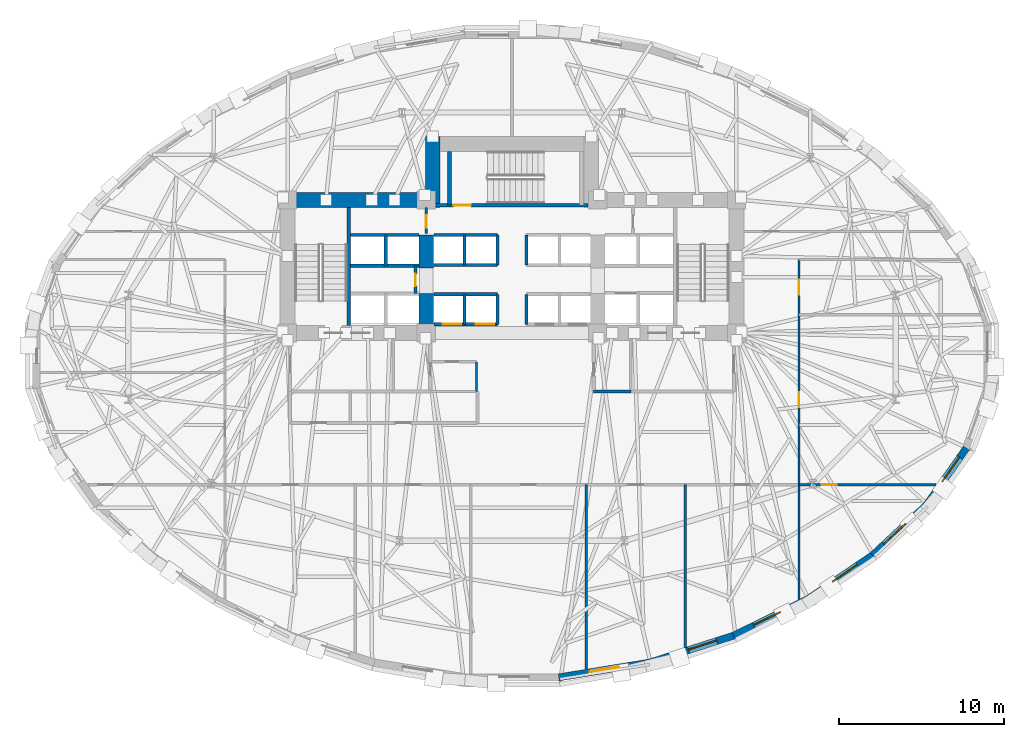
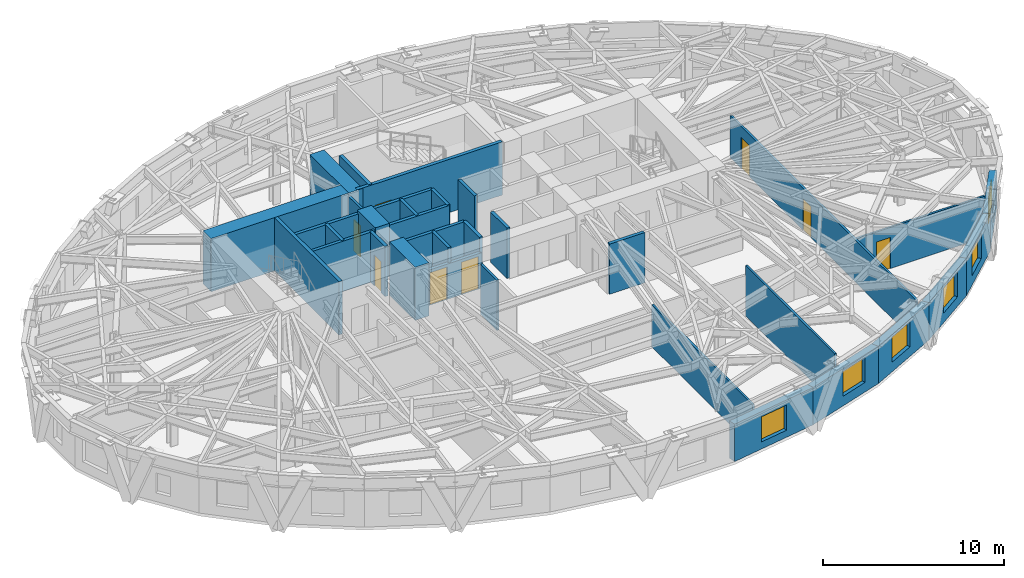
# One storey, part 8 of 14: 34 walls, 8 doors, 6 windows, 14 openings.
"""IFC4 building model written with IfcOpenShell, lengths in metres."""

from ifc_helpers import new_model, si_unit, direction, frame, frame_2d, origin, place, context, subcontext, project, spatial, rectangle, extrude, material, layer, layer_set, type_object, element, fill, save


model = new_model("IFC4")

# Units and contexts
model_context = context("Model", 3, precision=1e-05, world=origin(), true_north=direction((0.0, 1.0)))
body_context = subcontext(model_context, "Body", "Model", "MODEL_VIEW")
ifc_project = project(units=[si_unit("LENGTHUNIT", "METRE"), si_unit("AREAUNIT", "SQUARE_METRE"), si_unit("VOLUMEUNIT", "CUBIC_METRE"), si_unit("PLANEANGLEUNIT", "RADIAN"), si_unit("MASSUNIT", "GRAM", prefix="KILO")], contexts=[model_context])

# Site, building, storey
site_placement = place(None, origin())
site = spatial("IfcSite", under=ifc_project, at=site_placement, CompositionType="ELEMENT")
building_placement = place(site_placement, origin())
building = spatial("IfcBuilding", under=site, at=building_placement, Name="Keldmark Tower", CompositionType="ELEMENT")
storey_placement = place(building_placement, frame((0.0, 0.0, 59.39990234375)))
storey = spatial("IfcBuildingStorey", under=building, at=storey_placement, Name="L15", CompositionType="ELEMENT", Elevation=59.39990234375)

# Wall, openings, doors
ifc_material_1 = material(Name="Acoustic Double-Layer Gypsum Corridor Partition", Category="gypsum")
ifc_layer_1 = layer(ifc_material_1, 0.139892578125)
ifc_layer_set_1 = layer_set([ifc_layer_1], Name="Acoustic Double-Layer Gypsum Corridor Partition")
wall_type_1 = type_object("IfcWallType", Name="Acoustic Corridor Partition 140 mm", PredefinedType="PARTITIONING", material=ifc_layer_set_1)
wall_1_placement = place(storey_placement, frame((17.39990234375, -14.745361328125, 0.0), z_axis=(0.0, 0.0, 1.0), x_axis=(0.0, 1.0, 0.0)))
wall_1 = element("IfcWall", 1, at=wall_1_placement, inside=storey, type_object=wall_type_1, Name="L15 Acoustic Corridor Partition 140 mm COR-E", PredefinedType="PARTITIONING", context=body_context, shape_type="SweptSolid", body=[
    extrude(rectangle(XDim=20.595458984375, YDim=0.139892578125, at=frame_2d((10.2978515625, 0.0))), origin(), (0.0, 0.0, 1.0), 2.841064453125),
])
opening_1_placement = place(wall_1_placement, frame((11.64501953125, 0.0, 0.0)))
opening_1 = element("IfcOpeningElement", 2, at=opening_1_placement, cuts=wall_1, Name="Opening D-IN090", PredefinedType="OPENING", context=body_context, shape_type="SweptSolid", body=[
    extrude(rectangle(XDim=0.89990234375, YDim=2.10009765625, at=frame_2d((0.449951171875, 1.050048828125))), frame((0.0, 0.079833984375, 0.0), z_axis=(0.0, -1.0, 0.0), x_axis=(1.0, 0.0, 0.0)), (0.0, 0.0, 1.0), 0.159912109375),
])
opening_2_placement = place(wall_1_placement, frame((18.469970703125, 0.0, 0.0)))
opening_2 = element("IfcOpeningElement", 3, at=opening_2_placement, cuts=wall_1, Name="Opening D-IN090", PredefinedType="OPENING", context=body_context, shape_type="SweptSolid", body=[
    extrude(rectangle(XDim=0.89990234375, YDim=2.10009765625, at=frame_2d((0.449951171875, 1.050048828125))), frame((0.0, 0.079833984375, 0.0), z_axis=(0.0, -1.0, 0.0), x_axis=(1.0, 0.0, 0.0)), (0.0, 0.0, 1.0), 0.159912109375),
])
ifc_material_2 = material(Name="Stained American White Oak Veneer", Category="wood")
door_type_1 = type_object("IfcDoorType", Name="Interior Door 900x2100", OperationType="NOTDEFINED", PredefinedType="DOOR", material=ifc_material_2)
door_1_placement = place(opening_1_placement, origin())
door_1 = element("IfcDoor", 4, at=door_1_placement, inside=storey, type_object=door_type_1, Name="L15 Interior Door 900x2100 D-ER-1-L15", OperationType="SINGLE_SWING_RIGHT", OverallHeight=2.10009765625, OverallWidth=0.89990234375, PredefinedType="DOOR", context=body_context, shape_type="SweptSolid", body=[
    extrude(rectangle(XDim=0.89990234375, YDim=2.10009765625, at=frame_2d((0.449951171875, 1.050048828125))), frame((0.0, 0.02490234375, 0.0), z_axis=(0.0, -1.0, 0.0), x_axis=(1.0, 0.0, 0.0)), (0.0, 0.0, 1.0), 0.050048828125),
])
fill(opening_1, door_1)
door_2_placement = place(opening_2_placement, origin())
door_2 = element("IfcDoor", 5, at=door_2_placement, inside=storey, type_object=door_type_1, Name="L15 Interior Door 900x2100 D-ER-2-L15", OperationType="SINGLE_SWING_LEFT", OverallHeight=2.10009765625, OverallWidth=0.89990234375, PredefinedType="DOOR", context=body_context, shape_type="SweptSolid", body=[
    extrude(rectangle(XDim=0.89990234375, YDim=2.10009765625, at=frame_2d((0.449951171875, 1.050048828125))), frame((0.0, 0.02490234375, 0.0), z_axis=(0.0, -1.0, 0.0), x_axis=(1.0, 0.0, 0.0)), (0.0, 0.0, 1.0), 0.050048828125),
])
fill(opening_2, door_2)

# Walls
ifc_material_3 = material(Name="Acoustic Gypsum Board Interior Partition", Category="gypsum")
ifc_layer_2 = layer(ifc_material_3, 0.1298828125)
ifc_layer_set_2 = layer_set([ifc_layer_2], Name="Acoustic Gypsum Board Interior Partition")
wall_type_2 = type_object("IfcWallType", Name="Interior Partition 130 mm", PredefinedType="PARTITIONING", material=ifc_layer_set_2)
wall_2_placement = place(storey_placement, frame((-2.14990234375, -2.14990234375, 0.0), z_axis=(0.0, 0.0, 1.0), x_axis=(0.0, 1.0, 0.0)))
element("IfcWall", 6, at=wall_2_placement, inside=storey, type_object=wall_type_2, Name="L15 Interior Partition 130 mm CSC-W-E", PredefinedType="PARTITIONING", context=body_context, shape_type="SweptSolid", body=[
    extrude(rectangle(XDim=1.7998046875, YDim=0.1298828125, at=frame_2d((0.89990234375, 0.0))), origin(), (0.0, 0.0, 1.0), 3.400146484375),
])
wall_3_placement = place(storey_placement, frame((4.5, -18.97998046875, 0.0), z_axis=(0.0, 0.0, 1.0), x_axis=(0.0, 1.0, 0.0)))
element("IfcWall", 7, at=wall_3_placement, inside=storey, type_object=wall_type_2, Name="L15 Interior Partition 130 mm S-DIV-3", PredefinedType="PARTITIONING", context=body_context, shape_type="SweptSolid", body=[
    extrude(rectangle(XDim=11.179931640625, YDim=0.1298828125, at=frame_2d((5.58984375, 0.0))), origin(), (0.0, 0.0, 1.0), 2.85302734375),
])
wall_4_placement = place(storey_placement, frame((10.5, -17.656494140625, 0.0), z_axis=(0.0, 0.0, 1.0), x_axis=(0.0, 1.0, 0.0)))
element("IfcWall", 8, at=wall_4_placement, inside=storey, type_object=wall_type_2, Name="L15 Interior Partition 130 mm S-DIV-4", PredefinedType="PARTITIONING", context=body_context, shape_type="SweptSolid", body=[
    extrude(rectangle(XDim=9.8564453125, YDim=0.1298828125, at=frame_2d((4.92822265625, 0.0))), origin(), (0.0, 0.0, 1.0), 3.400146484375),
])

# Wall, opening, door
wall_5_placement = place(storey_placement, frame((17.39990234375, -7.800048828125, 0.0), z_axis=(0.0, 0.0, 1.0), x_axis=(1.0, 0.0, 0.0)))
wall_5 = element("IfcWall", 9, at=wall_5_placement, inside=storey, type_object=wall_type_2, Name="L15 Interior Partition 130 mm E-CAP-S", PredefinedType="PARTITIONING", context=body_context, shape_type="SweptSolid", body=[
    extrude(rectangle(XDim=8.314453125, YDim=0.1298828125, at=frame_2d((4.1572265625, 0.0))), origin(), (0.0, 0.0, 1.0), 2.779052734375),
])
opening_3_placement = place(wall_5_placement, frame((1.3701171875, 0.0, 0.0)))
opening_3 = element("IfcOpeningElement", 10, at=opening_3_placement, cuts=wall_5, Name="Opening D-IN090", PredefinedType="OPENING", context=body_context, shape_type="SweptSolid", body=[
    extrude(rectangle(XDim=0.89990234375, YDim=2.10009765625, at=frame_2d((0.449951171875, 1.050048828125))), frame((0.0, 0.074951171875, 0.0), z_axis=(0.0, -1.0, 0.0), x_axis=(1.0, 0.0, 0.0)), (0.0, 0.0, 1.0), 0.14990234375),
])
door_3_placement = place(opening_3_placement, origin())
door_3 = element("IfcDoor", 11, at=door_3_placement, inside=storey, type_object=door_type_1, Name="L15 Interior Door 900x2100 D-ERSE-L15", OperationType="SINGLE_SWING_RIGHT", OverallHeight=2.10009765625, OverallWidth=0.89990234375, PredefinedType="DOOR", context=body_context, shape_type="SweptSolid", body=[
    extrude(rectangle(XDim=0.89990234375, YDim=2.10009765625, at=frame_2d((0.449951171875, 1.050048828125))), frame((0.0, 0.02490234375, 0.0), z_axis=(0.0, -1.0, 0.0), x_axis=(1.0, 0.0, 0.0)), (0.0, 0.0, 1.0), 0.050048828125),
])
fill(opening_3, door_3)

# Walls
ifc_material_4 = material(Name="Concrete C70/85", Category="concrete")
ifc_layer_3 = layer(ifc_material_4, 0.89990234375)
ifc_layer_set_3 = layer_set([ifc_layer_3], Name="Concrete C70/85")
wall_type_3 = type_object("IfcWallType", Name="Lower Core Shear Wall 900 mm", PredefinedType="SHEAR", material=ifc_layer_set_3)
wall_6_placement = place(storey_placement, frame((-14.050048828125, 9.449951171875, 0.0), z_axis=(0.0, 0.0, 1.0), x_axis=(1.0, 0.0, 0.0)))
element("IfcWall", 12, at=wall_6_placement, inside=storey, type_object=wall_type_3, Name="L15 West Core North Shear Wall", PredefinedType="SHEAR", context=body_context, shape_type="SweptSolid", body=[
    extrude(rectangle(XDim=9.699951171875, YDim=0.89990234375, at=frame_2d((4.85009765625, 0.0))), origin(), (0.0, 0.0, 1.0), 3.60009765625),
])
wall_7_placement = place(storey_placement, frame((-5.199951171875, 0.949951171875, 0.0), z_axis=(0.0, 0.0, 1.0), x_axis=(0.0, 1.0, 0.0)))
element("IfcWall", 13, at=wall_7_placement, inside=storey, type_object=wall_type_3, Name="L15 West Core Inner Shear Pier South", PredefinedType="SHEAR", context=body_context, shape_type="SweptSolid", body=[
    extrude(rectangle(XDim=2.85009765625, YDim=0.89990234375, at=frame_2d((1.425048828125, 0.0))), origin(), (0.0, 0.0, 1.0), 3.60009765625),
])
wall_8_placement = place(storey_placement, frame((-5.199951171875, 5.35009765625, 0.0), z_axis=(0.0, 0.0, 1.0), x_axis=(0.0, 1.0, 0.0)))
element("IfcWall", 14, at=wall_8_placement, inside=storey, type_object=wall_type_3, Name="L15 West Core Inner Shear Pier North", PredefinedType="SHEAR", context=body_context, shape_type="SweptSolid", body=[
    extrude(rectangle(XDim=2.0, YDim=0.89990234375, at=frame_2d((1.0, 0.0))), origin(), (0.0, 0.0, 1.0), 3.60009765625),
])
wall_9_placement = place(storey_placement, frame((-4.800048828125, 9.0, 0.0), z_axis=(0.0, 0.0, 1.0), x_axis=(0.0, 1.0, 0.0)))
element("IfcWall", 15, at=wall_9_placement, inside=storey, type_object=wall_type_3, Name="L15 North Core West Shear Wall", PredefinedType="SHEAR", context=body_context, shape_type="SweptSolid", body=[
    extrude(rectangle(XDim=4.300048828125, YDim=0.89990234375, at=frame_2d((2.14990234375, 0.0))), origin(), (0.0, 0.0, 1.0), 3.60009765625),
])

# Wall, opening, door
ifc_material_5 = material(Name="Type X Fire-Rated Gypsum Partition Assembly", Category="gypsum")
ifc_layer_4 = layer(ifc_material_5, 0.1650390625)
ifc_layer_set_4 = layer_set([ifc_layer_4], Name="Type X Fire-Rated Gypsum Partition Assembly")
wall_type_4 = type_object("IfcWallType", Name="Rated Partition 165 mm", PredefinedType="PARTITIONING", material=ifc_layer_set_4)
wall_10_placement = place(storey_placement, frame((-5.199951171875, 7.419921875, 0.0), z_axis=(0.0, 0.0, 1.0), x_axis=(0.0, 1.0, 0.0)))
wall_10 = element("IfcWall", 16, at=wall_10_placement, inside=storey, type_object=wall_type_4, Name="L15 Rated Partition 165 mm CS-NW-E", PredefinedType="PARTITIONING", context=body_context, shape_type="SweptSolid", body=[
    extrude(rectangle(XDim=1.580078125, YDim=0.1650390625, at=frame_2d((0.7900390625, 0.0))), origin(), (0.0, 0.0, 1.0), 3.400146484375),
])
opening_4_placement = place(wall_10_placement, frame((0.35009765625, 0.0, 0.0)))
opening_4 = element("IfcOpeningElement", 17, at=opening_4_placement, cuts=wall_10, Name="Opening D-RS075", PredefinedType="OPENING", context=body_context, shape_type="SweptSolid", body=[
    extrude(rectangle(XDim=0.75, YDim=2.10009765625, at=frame_2d((0.375, 1.050048828125))), frame((0.0, 0.092529296875, 0.0), z_axis=(0.0, -1.0, 0.0), x_axis=(1.0, 0.0, 0.0)), (0.0, 0.0, 1.0), 0.18505859375),
])
ifc_material_6 = material(Name="Galvanized Fire-Rated Access Leaf", Category="metal")
door_type_2 = type_object("IfcDoorType", Name="Riser Access Door 750x2100", OperationType="NOTDEFINED", PredefinedType="DOOR", material=ifc_material_6)
door_4_placement = place(opening_4_placement, origin())
door_4 = element("IfcDoor", 18, at=door_4_placement, inside=storey, type_object=door_type_2, Name="L15 Riser Access Door 750x2100 D-CSNW1-L15", OperationType="SINGLE_SWING_LEFT", OverallHeight=2.10009765625, OverallWidth=0.75, PredefinedType="DOOR", context=body_context, shape_type="SweptSolid", body=[
    extrude(rectangle(XDim=0.75, YDim=2.10009765625, at=frame_2d((0.375, 1.050048828125))), frame((0.0, 0.02490234375, 0.0), z_axis=(0.0, -1.0, 0.0), x_axis=(1.0, 0.0, 0.0)), (0.0, 0.0, 1.0), 0.050048828125),
])
fill(opening_4, door_4)

# Walls
ifc_material_7 = material(Name="Fire-Resistant Type X Gypsum Shaftliner Coreboard", Category="gypsum")
ifc_layer_5 = layer(ifc_material_7, 0.199951171875)
ifc_layer_set_5 = layer_set([ifc_layer_5], Name="Fire-Resistant Type X Gypsum Shaftliner Coreboard")
wall_type_5 = type_object("IfcWallType", Name="Shaft Wall 200 mm", PredefinedType="SOLIDWALL", material=ifc_layer_set_5)
wall_11_placement = place(storey_placement, frame((4.949951171875, -2.14990234375, 0.0), z_axis=(0.0, 0.0, 1.0), x_axis=(1.0, 0.0, 0.0)))
element("IfcWall", 19, at=wall_11_placement, inside=storey, type_object=wall_type_5, Name="L15 Shaft Wall 200 mm RIS-SE-S", PredefinedType="SOLIDWALL", context=body_context, shape_type="SweptSolid", body=[
    extrude(rectangle(XDim=2.25, YDim=0.199951171875, at=frame_2d((1.125, 0.0))), origin(), (0.0, 0.0, 1.0), 3.400146484375),
])
for number, where, z_axis, x_axis, name in (
    (20, (-9.780029296875, 5.469970703125, 0.0), (0.0, 0.0, 1.0), (1.0, 0.0, 0.0), "L15 Shaft Wall 200 mm HW-W-N"),
    (21, (-9.780029296875, 7.330078125, 0.0), (0.0, 0.0, 1.0), (1.0, 0.0, 0.0), "L15 Shaft Wall 200 mm HW-W-TOP"),
):
    element("IfcWall", number, at=place(storey_placement, frame(where, z_axis=z_axis, x_axis=x_axis)), inside=storey, type_object=wall_type_5, Name=name, PredefinedType="SOLIDWALL", context=body_context, shape_type="SweptSolid", body=[
        extrude(rectangle(XDim=4.130126953125, YDim=0.199951171875, at=frame_2d((2.06494140625, 0.0))), origin(), (0.0, 0.0, 1.0), 3.400146484375),
    ])
wall_12_placement = place(storey_placement, frame((-7.64990234375, 5.469970703125, 0.0), z_axis=(0.0, 0.0, 1.0), x_axis=(0.0, 1.0, 0.0)))
element("IfcWall", 22, at=wall_12_placement, inside=storey, type_object=wall_type_5, Name="L15 Shaft Wall 200 mm HW-W-NM", PredefinedType="SOLIDWALL", context=body_context, shape_type="SweptSolid", body=[
    extrude(rectangle(XDim=1.860107421875, YDim=0.199951171875, at=frame_2d((0.93017578125, 0.0))), origin(), (0.0, 0.0, 1.0), 3.400146484375),
])

# Wall, opening, door
wall_13_placement = place(storey_placement, frame((-5.85009765625, 3.780029296875, 0.0), z_axis=(0.0, 0.0, 1.0), x_axis=(0.0, 1.0, 0.0)))
wall_13 = element("IfcWall", 23, at=wall_13_placement, inside=storey, type_object=wall_type_5, Name="L15 Shaft Wall 200 mm HW-W-CLOSE", PredefinedType="SOLIDWALL", context=body_context, shape_type="SweptSolid", body=[
    extrude(rectangle(XDim=1.68994140625, YDim=0.199951171875, at=frame_2d((0.844970703125, 0.0))), origin(), (0.0, 0.0, 1.0), 3.400146484375),
])
opening_5_placement = place(wall_13_placement, frame((0.449951171875, 0.0, 0.0)))
opening_5 = element("IfcOpeningElement", 24, at=opening_5_placement, cuts=wall_13, Name="Opening D-RS075", PredefinedType="OPENING", context=body_context, shape_type="SweptSolid", body=[
    extrude(rectangle(XDim=0.75, YDim=2.10009765625, at=frame_2d((0.375, 1.050048828125))), frame((0.0, 0.10986328125, 0.0), z_axis=(0.0, -1.0, 0.0), x_axis=(1.0, 0.0, 0.0)), (0.0, 0.0, 1.0), 0.219970703125),
])
door_5_placement = place(opening_5_placement, origin())
door_5 = element("IfcDoor", 25, at=door_5_placement, inside=storey, type_object=door_type_2, Name="L15 Riser Access Door 750x2100 D-RISHW-L15", OperationType="SINGLE_SWING_RIGHT", OverallHeight=2.10009765625, OverallWidth=0.75, PredefinedType="DOOR", context=body_context, shape_type="SweptSolid", body=[
    extrude(rectangle(XDim=0.75, YDim=2.10009765625, at=frame_2d((0.375, 1.050048828125))), frame((0.0, 0.02490234375, 0.0), z_axis=(0.0, -1.0, 0.0), x_axis=(1.0, 0.0, 0.0)), (0.0, 0.0, 1.0), 0.050048828125),
])
fill(opening_5, door_5)

# Wall, openings, doors
wall_14_placement = place(storey_placement, frame((-4.739990234375, 1.919921875, 0.0), z_axis=(0.0, 0.0, 1.0), x_axis=(1.0, 0.0, 0.0)))
wall_14 = element("IfcWall", 26, at=wall_14_placement, inside=storey, type_object=wall_type_5, Name="L15 Shaft Wall 200 mm LOW-S-W", PredefinedType="SOLIDWALL", context=body_context, shape_type="SweptSolid", body=[
    extrude(rectangle(XDim=3.860107421875, YDim=0.199951171875, at=frame_2d((1.93017578125, 0.0))), origin(), (0.0, 0.0, 1.0), 2.39013671875),
])
opening_6_placement = place(wall_14_placement, frame((0.550048828125, 0.0, 0.0)))
opening_6 = element("IfcOpeningElement", 27, at=opening_6_placement, cuts=wall_14, Name="Opening LD-110", PredefinedType="OPENING", context=body_context, shape_type="SweptSolid", body=[
    extrude(rectangle(XDim=1.10009765625, YDim=2.199951171875, at=frame_2d((0.550048828125, 1.10009765625))), frame((0.0, 0.10986328125, 0.0), z_axis=(0.0, -1.0, 0.0), x_axis=(1.0, 0.0, 0.0)), (0.0, 0.0, 1.0), 0.219970703125),
])
opening_7_placement = place(wall_14_placement, frame((2.550048828125, 0.0, 0.0)))
opening_7 = element("IfcOpeningElement", 28, at=opening_7_placement, cuts=wall_14, Name="Opening LD-110", PredefinedType="OPENING", context=body_context, shape_type="SweptSolid", body=[
    extrude(rectangle(XDim=1.10009765625, YDim=2.199951171875, at=frame_2d((0.550048828125, 1.10009765625))), frame((0.0, 0.10986328125, 0.0), z_axis=(0.0, -1.0, 0.0), x_axis=(1.0, 0.0, 0.0)), (0.0, 0.0, 1.0), 0.219970703125),
])
ifc_material_8 = material(Name="Brushed Bronze Hoistway Sliding Leaf", Category="metal")
door_type_3 = type_object("IfcDoorType", Name="Lift Landing Sliding Door 1100x2200", OperationType="SLIDING_TO_LEFT", PredefinedType="DOOR", material=ifc_material_8)
door_6_placement = place(opening_6_placement, origin())
door_6 = element("IfcDoor", 29, at=door_6_placement, inside=storey, type_object=door_type_3, Name="L15 Lift Landing Sliding Door 1100x2200 LD-EL-L1-L15", OperationType="SLIDING_TO_LEFT", OverallHeight=2.199951171875, OverallWidth=1.10009765625, PredefinedType="DOOR", context=body_context, shape_type="SweptSolid", body=[
    extrude(rectangle(XDim=1.10009765625, YDim=2.199951171875, at=frame_2d((0.550048828125, 1.10009765625))), frame((0.0, 0.02490234375, 0.0), z_axis=(0.0, -1.0, 0.0), x_axis=(1.0, 0.0, 0.0)), (0.0, 0.0, 1.0), 0.050048828125),
])
fill(opening_6, door_6)
door_7_placement = place(opening_7_placement, origin())
door_7 = element("IfcDoor", 30, at=door_7_placement, inside=storey, type_object=door_type_3, Name="L15 Lift Landing Sliding Door 1100x2200 LD-EL-L2-L15", OperationType="SLIDING_TO_LEFT", OverallHeight=2.199951171875, OverallWidth=1.10009765625, PredefinedType="DOOR", context=body_context, shape_type="SweptSolid", body=[
    extrude(rectangle(XDim=1.10009765625, YDim=2.199951171875, at=frame_2d((0.550048828125, 1.10009765625))), frame((0.0, 0.02490234375, 0.0), z_axis=(0.0, -1.0, 0.0), x_axis=(1.0, 0.0, 0.0)), (0.0, 0.0, 1.0), 0.050048828125),
])
fill(opening_7, door_7)

# Walls
wall_15_placement = place(storey_placement, frame((-4.739990234375, 3.739990234375, 0.0), z_axis=(0.0, 0.0, 1.0), x_axis=(1.0, 0.0, 0.0)))
element("IfcWall", 31, at=wall_15_placement, inside=storey, type_object=wall_type_5, Name="L15 Shaft Wall 200 mm LOW-N-W", PredefinedType="SOLIDWALL", context=body_context, shape_type="SweptSolid", body=[
    extrude(rectangle(XDim=3.860107421875, YDim=0.199951171875, at=frame_2d((1.93017578125, 0.0))), origin(), (0.0, 0.0, 1.0), 3.400146484375),
])
for number, where, z_axis, x_axis, name in (
    (32, (-2.8798828125, 1.919921875, 0.0), (0.0, 0.0, 1.0), (0.0, 1.0, 0.0), "L15 Shaft Wall 200 mm LOW-M-W"),
    (33, (-0.8798828125, 1.919921875, 0.0), (0.0, 0.0, 1.0), (0.0, 1.0, 0.0), "L15 Shaft Wall 200 mm LOW-C-W"),
    (34, (0.8798828125, 1.919921875, 0.0), (0.0, 0.0, 1.0), (0.0, 1.0, 0.0), "L15 Shaft Wall 200 mm LOW-C-E"),
):
    element("IfcWall", number, at=place(storey_placement, frame(where, z_axis=z_axis, x_axis=x_axis)), inside=storey, type_object=wall_type_5, Name=name, PredefinedType="SOLIDWALL", context=body_context, shape_type="SweptSolid", body=[
        extrude(rectangle(XDim=1.820068359375, YDim=0.199951171875, at=frame_2d((0.91015625, 0.0))), origin(), (0.0, 0.0, 1.0), 3.400146484375),
    ])
for number, where, z_axis, x_axis, name in (
    (35, (-4.739990234375, 5.52001953125, 0.0), (0.0, 0.0, 1.0), (1.0, 0.0, 0.0), "L15 Shaft Wall 200 mm MID-S-W"),
    (36, (-4.739990234375, 7.330078125, 0.0), (0.0, 0.0, 1.0), (1.0, 0.0, 0.0), "L15 Shaft Wall 200 mm MID-N-W"),
):
    element("IfcWall", number, at=place(storey_placement, frame(where, z_axis=z_axis, x_axis=x_axis)), inside=storey, type_object=wall_type_5, Name=name, PredefinedType="SOLIDWALL", context=body_context, shape_type="SweptSolid", body=[
        extrude(rectangle(XDim=3.860107421875, YDim=0.199951171875, at=frame_2d((1.93017578125, 0.0))), origin(), (0.0, 0.0, 1.0), 3.400146484375),
    ])
for number, where, z_axis, x_axis, name in (
    (37, (-2.8798828125, 5.52001953125, 0.0), (0.0, 0.0, 1.0), (0.0, 1.0, 0.0), "L15 Shaft Wall 200 mm MID-M-W"),
    (38, (-0.8798828125, 5.52001953125, 0.0), (0.0, 0.0, 1.0), (0.0, 1.0, 0.0), "L15 Shaft Wall 200 mm MID-C-W"),
    (39, (0.8798828125, 5.52001953125, 0.0), (0.0, 0.0, 1.0), (0.0, 1.0, 0.0), "L15 Shaft Wall 200 mm MID-C-E"),
):
    element("IfcWall", number, at=place(storey_placement, frame(where, z_axis=z_axis, x_axis=x_axis)), inside=storey, type_object=wall_type_5, Name=name, PredefinedType="SOLIDWALL", context=body_context, shape_type="SweptSolid", body=[
        extrude(rectangle(XDim=1.81005859375, YDim=0.199951171875, at=frame_2d((0.905029296875, 0.0))), origin(), (0.0, 0.0, 1.0), 3.400146484375),
    ])
ifc_material_9 = material(Name="Concrete C50/60", Category="concrete")
ifc_layer_6 = layer(ifc_material_9, 0.219970703125)
ifc_layer_set_6 = layer_set([ifc_layer_6], Name="Concrete C50/60")
wall_type_6 = type_object("IfcWallType", Name="Stair Core Shear Wall 220 mm", PredefinedType="SHEAR", material=ifc_layer_set_6)
wall_16_placement = place(storey_placement, frame((-9.889892578125, 1.85009765625, 0.0), z_axis=(0.0, 0.0, 1.0), x_axis=(0.0, 1.0, 0.0)))
element("IfcWall", 40, at=wall_16_placement, inside=storey, type_object=wall_type_6, Name="L15 West Stair Core Shear Wall", PredefinedType="SHEAR", context=body_context, shape_type="SweptSolid", body=[
    extrude(rectangle(XDim=7.14990234375, YDim=0.219970703125, at=frame_2d((3.574951171875, 0.0))), origin(), (0.0, 0.0, 1.0), 3.60009765625),
])

# Wall, opening, door
wall_17_placement = place(storey_placement, frame((-4.699951171875, 9.139892578125, 0.0), z_axis=(0.0, 0.0, 1.0), x_axis=(1.0, 0.0, 0.0)))
wall_17 = element("IfcWall", 41, at=wall_17_placement, inside=storey, type_object=wall_type_6, Name="L15 Central Stair Core South Shear Wall", PredefinedType="SHEAR", context=body_context, shape_type="SweptSolid", body=[
    extrude(rectangle(XDim=9.300048828125, YDim=0.219970703125, at=frame_2d((4.64990234375, 0.0))), origin(), (0.0, 0.0, 1.0), 3.60009765625),
])
opening_8_placement = place(wall_17_placement, frame((1.14990234375, 0.0, 0.0)))
opening_8 = element("IfcOpeningElement", 42, at=opening_8_placement, cuts=wall_17, Name="Opening D-ST105", PredefinedType="OPENING", context=body_context, shape_type="SweptSolid", body=[
    extrude(rectangle(XDim=1.050048828125, YDim=2.14990234375, at=frame_2d((0.52490234375, 1.074951171875))), frame((0.0, 0.119873046875, 0.0), z_axis=(0.0, -1.0, 0.0), x_axis=(1.0, 0.0, 0.0)), (0.0, 0.0, 1.0), 0.239990234375),
])
ifc_material_10 = material(Name="Hollow Metal Fire-Rated Door Assembly", Category="metal")
door_type_4 = type_object("IfcDoorType", Name="Stair Fire Door 1050x2150", OperationType="NOTDEFINED", PredefinedType="DOOR", material=ifc_material_10)
door_8_placement = place(opening_8_placement, origin())
door_8 = element("IfcDoor", 43, at=door_8_placement, inside=storey, type_object=door_type_4, Name="L15 Stair Fire Door 1050x2150 D-ST3-L15", OperationType="SINGLE_SWING_RIGHT", OverallHeight=2.14990234375, OverallWidth=1.050048828125, PredefinedType="DOOR", context=body_context, shape_type="SweptSolid", body=[
    extrude(rectangle(XDim=1.050048828125, YDim=2.14990234375, at=frame_2d((0.52490234375, 1.074951171875))), frame((0.0, 0.02490234375, 0.0), z_axis=(0.0, -1.0, 0.0), x_axis=(1.0, 0.0, 0.0)), (0.0, 0.0, 1.0), 0.050048828125),
])
fill(opening_8, door_8)

# Wall
wall_18_placement = place(storey_placement, frame((-3.784912109375, 9.139892578125, 0.0), z_axis=(0.0, 0.0, 1.0), x_axis=(0.0, 1.0, 0.0)))
element("IfcWall", 44, at=wall_18_placement, inside=storey, type_object=wall_type_6, Name="L15 Central Stair Core West Shear Wall", PredefinedType="SHEAR", context=body_context, shape_type="SweptSolid", body=[
    extrude(rectangle(XDim=3.260009765625, YDim=0.219970703125, at=frame_2d((1.6298828125, 0.0))), origin(), (0.0, 0.0, 1.0), 3.60009765625),
])

# Wall, opening, window
ifc_material_11 = material(Name="Ironspot Manganese Brick and Kasota Buff Limestone Spandrel Assembly", Category="masonry")
ifc_layer_7 = layer(ifc_material_11, 0.43994140625)
ifc_layer_set_7 = layer_set([ifc_layer_7], Name="Ironspot Manganese Brick and Kasota Buff Limestone Spandrel Assembly")
wall_type_7 = type_object("IfcWallType", Name="Tower Brick Pier and Spandrel Wall 440 mm", PredefinedType="STANDARD", material=ifc_layer_set_7)
wall_19_placement = place(storey_placement, frame((8.3759765625, -18.581298828125, 0.0), z_axis=(0.0, 0.0, 1.0), x_axis=(-0.987057031186, -0.160369626756, 0.0)))
wall_19 = element("IfcWall", 45, at=wall_19_placement, inside=storey, type_object=wall_type_7, Name="L15 Exterior Brick and Spandrel Wall 25", PredefinedType="STANDARD", context=body_context, shape_type="SweptSolid", body=[
    extrude(rectangle(XDim=5.6220703125, YDim=0.43994140625, at=frame_2d((2.81103515625, 0.0))), origin(), (0.0, 0.0, 1.0), 2.529052734375),
])
opening_9_placement = place(wall_19_placement, frame((1.910888671875, 0.0, 0.47998046875)))
opening_9 = element("IfcOpeningElement", 46, at=opening_9_placement, cuts=wall_19, Name="Opening W-02", PredefinedType="OPENING", context=body_context, shape_type="SweptSolid", body=[
    extrude(rectangle(XDim=1.800048828125, YDim=1.699951171875, at=frame_2d((0.89990234375, 0.85009765625))), frame((0.0, 0.22998046875, 0.0), z_axis=(0.0, -1.0, 0.0), x_axis=(1.0, 0.0, 0.0)), (0.0, 0.0, 1.0), 0.4599609375),
])
ifc_material_12 = material(Name="Thermally Broken Anodized Aluminum and Triple Low-E Argon Glazing", Category="aluminium")
window_type = type_object("IfcWindowType", Name="Office Deep-Set Triple Window 1800x1700", PartitioningType="TRIPLE_PANEL_VERTICAL", PredefinedType="WINDOW", material=ifc_material_12)
window_1_placement = place(opening_9_placement, origin())
window_1 = element("IfcWindow", 47, at=window_1_placement, inside=storey, type_object=window_type, Name="L15 Deep-Set Window 25", OverallHeight=1.699951171875, OverallWidth=1.800048828125, PartitioningType="SINGLE_PANEL", PredefinedType="WINDOW", context=body_context, shape_type="SweptSolid", body=[
    extrude(rectangle(XDim=1.800048828125, YDim=1.699951171875, at=frame_2d((0.89990234375, 0.85009765625))), frame((0.0, -0.010009765625, 0.0), z_axis=(0.0, -1.0, 0.0), x_axis=(1.0, 0.0, 0.0)), (0.0, 0.0, 1.0), 0.06005859375),
])
fill(opening_9, window_1)

wall_20_placement = place(storey_placement, frame((13.457763671875, -16.9453125, 0.0), z_axis=(0.0, 0.0, 1.0), x_axis=(-0.95202383213, -0.30602389295, 0.0)))
wall_20 = element("IfcWall", 48, at=wall_20_placement, inside=storey, type_object=wall_type_7, Name="L15 Exterior Brick and Spandrel Wall 26", PredefinedType="STANDARD", context=body_context, shape_type="SweptSolid", body=[
    extrude(rectangle(XDim=5.37158203125, YDim=0.43994140625, at=frame_2d((2.685791015625, 0.0))), origin(), (0.0, 0.0, 1.0), 2.529052734375),
])
opening_10_placement = place(wall_20_placement, frame((1.092041015625, 0.0, 0.64990234375)))
opening_10 = element("IfcOpeningElement", 49, at=opening_10_placement, cuts=wall_20, Name="Opening W-02", PredefinedType="OPENING", context=body_context, shape_type="SweptSolid", body=[
    extrude(rectangle(XDim=1.800048828125, YDim=1.699951171875, at=frame_2d((0.89990234375, 0.85009765625))), frame((0.0, 0.22998046875, 0.0), z_axis=(0.0, -1.0, 0.0), x_axis=(1.0, 0.0, 0.0)), (0.0, 0.0, 1.0), 0.4599609375),
])
window_2_placement = place(opening_10_placement, origin())
window_2 = element("IfcWindow", 50, at=window_2_placement, inside=storey, type_object=window_type, Name="L15 Deep-Set Window 26", OverallHeight=1.699951171875, OverallWidth=1.800048828125, PartitioningType="SINGLE_PANEL", PredefinedType="WINDOW", context=body_context, shape_type="SweptSolid", body=[
    extrude(rectangle(XDim=1.800048828125, YDim=1.699951171875, at=frame_2d((0.89990234375, 0.85009765625))), frame((0.0, -0.010009765625, 0.0), z_axis=(0.0, -1.0, 0.0), x_axis=(1.0, 0.0, 0.0)), (0.0, 0.0, 1.0), 0.06005859375),
])
fill(opening_10, window_2)

wall_21_placement = place(storey_placement, frame((17.962890625, -14.72216796875, 0.0), z_axis=(0.0, 0.0, 1.0), x_axis=(-0.896962161347, -0.442107318545, 0.0)))
wall_21 = element("IfcWall", 51, at=wall_21_placement, inside=storey, type_object=wall_type_7, Name="L15 Exterior Brick and Spandrel Wall 27", PredefinedType="STANDARD", context=body_context, shape_type="SweptSolid", body=[
    extrude(rectangle(XDim=5.05615234375, YDim=0.43994140625, at=frame_2d((2.528076171875, 0.0))), origin(), (0.0, 0.0, 1.0), 2.529052734375),
])
opening_11_placement = place(wall_21_placement, frame((1.874267578125, 0.0, 0.64990234375)))
opening_11 = element("IfcOpeningElement", 52, at=opening_11_placement, cuts=wall_21, Name="Opening W-02", PredefinedType="OPENING", context=body_context, shape_type="SweptSolid", body=[
    extrude(rectangle(XDim=1.800048828125, YDim=1.699951171875, at=frame_2d((0.89990234375, 0.85009765625))), frame((0.0, 0.22998046875, 0.0), z_axis=(0.0, -1.0, 0.0), x_axis=(1.0, 0.0, 0.0)), (0.0, 0.0, 1.0), 0.4599609375),
])
window_3_placement = place(opening_11_placement, origin())
window_3 = element("IfcWindow", 53, at=window_3_placement, inside=storey, type_object=window_type, Name="L15 Deep-Set Window 27", OverallHeight=1.699951171875, OverallWidth=1.800048828125, PartitioningType="SINGLE_PANEL", PredefinedType="WINDOW", context=body_context, shape_type="SweptSolid", body=[
    extrude(rectangle(XDim=1.800048828125, YDim=1.699951171875, at=frame_2d((0.89990234375, 0.85009765625))), frame((0.0, -0.010009765625, 0.0), z_axis=(0.0, -1.0, 0.0), x_axis=(1.0, 0.0, 0.0)), (0.0, 0.0, 1.0), 0.06005859375),
])
fill(opening_11, window_3)

wall_22_placement = place(storey_placement, frame((21.8828125, -12.06201171875, 0.0), z_axis=(0.0, 0.0, 1.0), x_axis=(-0.827723816917, -0.561135708103, 0.0)))
wall_22 = element("IfcWall", 54, at=wall_22_placement, inside=storey, type_object=wall_type_7, Name="L15 Exterior Brick and Spandrel Wall 28", PredefinedType="STANDARD", context=body_context, shape_type="SweptSolid", body=[
    extrude(rectangle(XDim=4.767578125, YDim=0.43994140625, at=frame_2d((2.3837890625, 0.0))), origin(), (0.0, 0.0, 1.0), 2.529052734375),
])
opening_12_placement = place(wall_22_placement, frame((1.13818359375, 0.0, 0.64990234375)))
opening_12 = element("IfcOpeningElement", 55, at=opening_12_placement, cuts=wall_22, Name="Opening W-02", PredefinedType="OPENING", context=body_context, shape_type="SweptSolid", body=[
    extrude(rectangle(XDim=1.800048828125, YDim=1.699951171875, at=frame_2d((0.89990234375, 0.85009765625))), frame((0.0, 0.22998046875, 0.0), z_axis=(0.0, -1.0, 0.0), x_axis=(1.0, 0.0, 0.0)), (0.0, 0.0, 1.0), 0.4599609375),
])
window_4_placement = place(opening_12_placement, origin())
window_4 = element("IfcWindow", 56, at=window_4_placement, inside=storey, type_object=window_type, Name="L15 Deep-Set Window 28", OverallHeight=1.699951171875, OverallWidth=1.800048828125, PartitioningType="SINGLE_PANEL", PredefinedType="WINDOW", context=body_context, shape_type="SweptSolid", body=[
    extrude(rectangle(XDim=1.800048828125, YDim=1.699951171875, at=frame_2d((0.89990234375, 0.85009765625))), frame((0.0, -0.010009765625, 0.0), z_axis=(0.0, -1.0, 0.0), x_axis=(1.0, 0.0, 0.0)), (0.0, 0.0, 1.0), 0.06005859375),
])
fill(opening_12, window_4)

wall_23_placement = place(storey_placement, frame((25.1533203125, -9.008544921875, 0.0), z_axis=(0.0, 0.0, 1.0), x_axis=(-0.731343335822, -0.682009475849, 0.0)))
wall_23 = element("IfcWall", 57, at=wall_23_placement, inside=storey, type_object=wall_type_7, Name="L15 Exterior Brick and Spandrel Wall 29", PredefinedType="STANDARD", context=body_context, shape_type="SweptSolid", body=[
    extrude(rectangle(XDim=4.50830078125, YDim=0.43994140625, at=frame_2d((2.254150390625, 0.0))), origin(), (0.0, 0.0, 1.0), 2.529052734375),
])
opening_13_placement = place(wall_23_placement, frame((1.722412109375, 0.0, 0.64990234375)))
opening_13 = element("IfcOpeningElement", 58, at=opening_13_placement, cuts=wall_23, Name="Opening W-02", PredefinedType="OPENING", context=body_context, shape_type="SweptSolid", body=[
    extrude(rectangle(XDim=1.800048828125, YDim=1.699951171875, at=frame_2d((0.89990234375, 0.85009765625))), frame((0.0, 0.22998046875, 0.0), z_axis=(0.0, -1.0, 0.0), x_axis=(1.0, 0.0, 0.0)), (0.0, 0.0, 1.0), 0.4599609375),
])
window_5_placement = place(opening_13_placement, origin())
window_5 = element("IfcWindow", 59, at=window_5_placement, inside=storey, type_object=window_type, Name="L15 Deep-Set Window 29", OverallHeight=1.699951171875, OverallWidth=1.800048828125, PartitioningType="SINGLE_PANEL", PredefinedType="WINDOW", context=body_context, shape_type="SweptSolid", body=[
    extrude(rectangle(XDim=1.800048828125, YDim=1.699951171875, at=frame_2d((0.89990234375, 0.85009765625))), frame((0.0, -0.010009765625, 0.0), z_axis=(0.0, -1.0, 0.0), x_axis=(1.0, 0.0, 0.0)), (0.0, 0.0, 1.0), 0.06005859375),
])
fill(opening_13, window_5)

wall_24_placement = place(storey_placement, frame((27.5478515625, -5.576416015625, 0.0), z_axis=(0.0, 0.0, 1.0), x_axis=(-0.573152463572, -0.819448749771, 0.0)))
wall_24 = element("IfcWall", 60, at=wall_24_placement, inside=storey, type_object=wall_type_7, Name="L15 Exterior Brick and Spandrel Wall 30", PredefinedType="STANDARD", context=body_context, shape_type="SweptSolid", body=[
    extrude(rectangle(XDim=4.230712890625, YDim=0.43994140625, at=frame_2d((2.115234375, 0.0))), origin(), (0.0, 0.0, 1.0), 2.529052734375),
])
opening_14_placement = place(wall_24_placement, frame((0.6953125, 0.0, 0.64990234375)))
opening_14 = element("IfcOpeningElement", 61, at=opening_14_placement, cuts=wall_24, Name="Opening W-02", PredefinedType="OPENING", context=body_context, shape_type="SweptSolid", body=[
    extrude(rectangle(XDim=1.800048828125, YDim=1.699951171875, at=frame_2d((0.89990234375, 0.85009765625))), frame((0.0, 0.22998046875, 0.0), z_axis=(0.0, -1.0, 0.0), x_axis=(1.0, 0.0, 0.0)), (0.0, 0.0, 1.0), 0.4599609375),
])
window_6_placement = place(opening_14_placement, origin())
window_6 = element("IfcWindow", 62, at=window_6_placement, inside=storey, type_object=window_type, Name="L15 Deep-Set Window 30", OverallHeight=1.699951171875, OverallWidth=1.800048828125, PartitioningType="SINGLE_PANEL", PredefinedType="WINDOW", context=body_context, shape_type="SweptSolid", body=[
    extrude(rectangle(XDim=1.800048828125, YDim=1.699951171875, at=frame_2d((0.89990234375, 0.85009765625))), frame((0.0, -0.010009765625, 0.0), z_axis=(0.0, -1.0, 0.0), x_axis=(1.0, 0.0, 0.0)), (0.0, 0.0, 1.0), 0.06005859375),
])
fill(opening_14, window_6)

save(model, "model.ifc")
